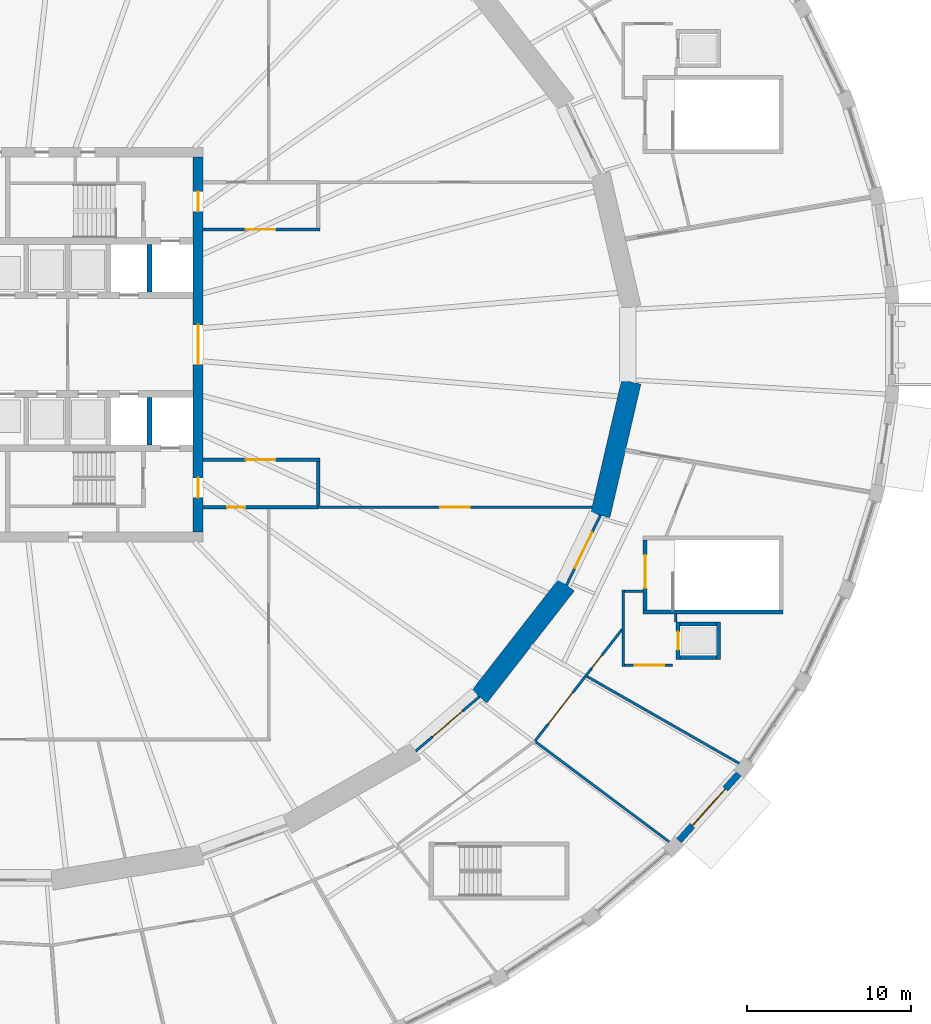
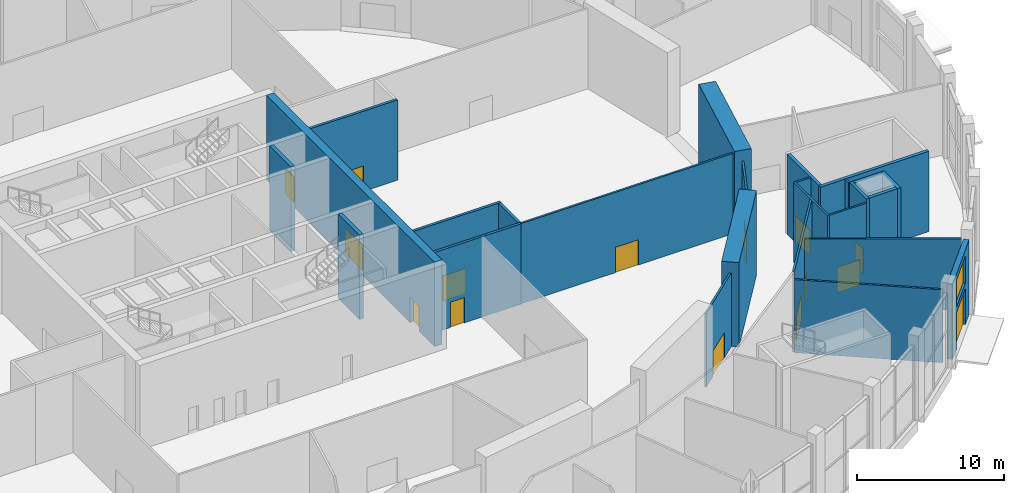
# One storey, part 24 of 33: 26 walls, 15 doors, 1 window, 16 openings.
"""IFC4 building model written with IfcOpenShell, lengths in metres."""

import ifcopenshell
import ifcopenshell.guid

model = None  # the IFC model being written
_history = None  # IfcOwnerHistory: only IFC2X3 demands one
_inside = {}  # id of a spatial element -> (the spatial element, [elements in it])
_under = {}  # id of a project, library or spatial element -> (it, [spatial elements below it])
_declared = {}  # id of a project -> (the project, [libraries it declares])
_typed = {}  # id of a type object -> (the type object, [elements of that type])
_made_of = {}  # id of a material, layer set ... -> (it, [elements and type objects made of it])


def new_model(schema):
    """Start an empty IFC model of exactly this schema.

    Asked for "IFC4X3", IfcOpenShell would pick the latest addendum, in which some entities
    have other attributes; the version numbers below select the first issue.
    IFC2X3 requires an IfcOwnerHistory on every rooted entity: one is made here for all.
    """
    global model, _history
    if schema == "IFC4X3":
        model = ifcopenshell.file(schema_version=(4, 3, 0, 0))
    else:
        model = ifcopenshell.file(schema=schema)
    _inside.clear()
    _under.clear()
    _declared.clear()
    _typed.clear()
    _made_of.clear()
    _history = None
    if model.schema == "IFC2X3":
        org = make("IfcOrganization", Name="unknown")
        user = make(
            "IfcPersonAndOrganization",
            ThePerson=make("IfcPerson", FamilyName="unknown"),
            TheOrganization=org,
        )
        app = make(
            "IfcApplication",
            ApplicationDeveloper=org,
            Version="unknown",
            ApplicationFullName="unknown",
            ApplicationIdentifier="unknown",
        )
        _history = make(
            "IfcOwnerHistory",
            OwningUser=user,
            OwningApplication=app,
            ChangeAction="ADDED",
            CreationDate=0,
        )
    return model


def make(cls, **values):
    """One entity of the class cls with the attributes given. An attribute that is None is left unset."""
    return model.create_entity(
        cls, **{name: value for name, value in values.items() if value is not None}
    )


def rooted(cls, **values):
    """An entity with a GlobalId (a new one), such as an element, a storey or a relation."""
    return make(cls, GlobalId=ifcopenshell.guid.new(), OwnerHistory=_history, **values)


def si_unit(unit_type, name, prefix=None):
    """IfcSIUnit, for example si_unit("LENGTHUNIT", "METRE", prefix="MILLI")."""
    return make("IfcSIUnit", UnitType=unit_type, Prefix=prefix, Name=name)


def assignment(units):
    """IfcUnitAssignment: the units of a project."""
    return None if units is None else make("IfcUnitAssignment", Units=units)


def point(xyz):
    """IfcCartesianPoint."""
    return None if xyz is None else make("IfcCartesianPoint", Coordinates=xyz)


def direction(xyz):
    """IfcDirection."""
    return None if xyz is None else make("IfcDirection", DirectionRatios=xyz)


def frame(location, z_axis=None, x_axis=None):
    """IfcAxis2Placement3D, a coordinate frame: its origin and axes. An axis left out is left unset."""
    return make(
        "IfcAxis2Placement3D",
        Location=point(location),
        Axis=direction(z_axis),
        RefDirection=direction(x_axis),
    )


def frame_2d(location, x_axis=None):
    """IfcAxis2Placement2D, a coordinate frame in the plane: its origin and x axis."""
    return make(
        "IfcAxis2Placement2D", Location=point(location), RefDirection=direction(x_axis)
    )


def origin():
    """The frame at (0, 0, 0) with its axes left unset."""
    return frame((0.0, 0.0, 0.0))


def place(relative_to, where):
    """IfcLocalPlacement: puts the frame where relative to a parent placement (None: the world)."""
    return make(
        "IfcLocalPlacement", PlacementRelTo=relative_to, RelativePlacement=where
    )


def context(
    kind, dimensions, precision=None, world=None, true_north=None, identifier=None
):
    """IfcGeometricRepresentationContext, for example the 3D "Model" context."""
    return make(
        "IfcGeometricRepresentationContext",
        ContextIdentifier=identifier,
        ContextType=kind,
        CoordinateSpaceDimension=dimensions,
        Precision=precision,
        WorldCoordinateSystem=world,
        TrueNorth=true_north,
    )


def subcontext(parent, identifier, kind, view, scale=None):
    """IfcGeometricRepresentationSubContext, for example "Body" below "Model"."""
    return make(
        "IfcGeometricRepresentationSubContext",
        ContextIdentifier=identifier,
        ContextType=kind,
        ParentContext=parent,
        TargetScale=scale,
        TargetView=view,
    )


def project(units=None, contexts=None):
    """IfcProject with its units and contexts."""
    return rooted(
        "IfcProject",
        Name="project",
        RepresentationContexts=contexts,
        UnitsInContext=assignment(units),
    )


def spatial(cls, under=None, at=None, **own):
    """A site, building, storey or space (cls), placed at a placement, below another one or the project."""
    s = rooted(cls, ObjectPlacement=at, **own)
    if under is not None:
        _under.setdefault(under.id(), (under, []))[1].append(s)
    return s


def polyline(points):
    """IfcPolyline through the points."""
    return make("IfcPolyline", Points=[point(p) for p in points])


def profile(cls, at=None, kind="AREA", **sizes):
    """A parametric profile (cls). Its sizes go by their IFC names, for example OverallWidth=200.0."""
    return make(cls, ProfileType=kind, Position=at, **sizes)


def rectangle(**sizes):
    """IfcRectangleProfileDef."""
    return profile("IfcRectangleProfileDef", **sizes)


def outline(outer, holes=None, kind="AREA"):
    """IfcArbitraryClosedProfileDef: a profile drawn as a closed curve; with holes, ...WithVoids."""
    if holes is None:
        return make("IfcArbitraryClosedProfileDef", ProfileType=kind, OuterCurve=outer)
    return make(
        "IfcArbitraryProfileDefWithVoids",
        ProfileType=kind,
        OuterCurve=outer,
        InnerCurves=holes,
    )


def extrude(swept, where, along, depth):
    """IfcExtrudedAreaSolid: the profile swept, set in the frame where, extruded along a direction by depth."""
    return make(
        "IfcExtrudedAreaSolid",
        SweptArea=swept,
        Position=where,
        ExtrudedDirection=direction(along),
        Depth=depth,
    )


def shape(context_of_items, identifier, shape_type, items):
    """IfcShapeRepresentation: the items that make up one representation, for example the "Body"."""
    return make(
        "IfcShapeRepresentation",
        ContextOfItems=context_of_items,
        RepresentationIdentifier=identifier,
        RepresentationType=shape_type,
        Items=items,
    )


def material(Name=None, Category=None):
    """IfcMaterial."""
    return make("IfcMaterial", Name=Name, Category=Category)


def layer(
    of_material, thickness, ventilated=None, Name=None, Category=None, Priority=None
):
    """IfcMaterialLayer: one layer of a wall or slab, of a material (None: an air gap)."""
    return make(
        "IfcMaterialLayer",
        Material=of_material,
        LayerThickness=thickness,
        IsVentilated=ventilated,
        Name=Name,
        Category=Category,
        Priority=Priority,
    )


def layer_set(layers, Name=None):
    """IfcMaterialLayerSet."""
    return make("IfcMaterialLayerSet", MaterialLayers=layers, LayerSetName=Name)


def made_of(thing, what):
    """Note that an element or type object is made of a material, layer set ...; save() writes the relation."""
    if what is not None:
        _made_of.setdefault(what.id(), (what, []))[1].append(thing)
    return thing


def type_object(cls, material=None, **own):
    """A type object (cls), such as IfcWallType, which elements share."""
    return made_of(rooted(cls, **own), material)


def element(
    cls,
    number,
    at=None,
    inside=None,
    cuts=None,
    type_object=None,
    material=None,
    context=None,
    identifier="Body",
    shape_type=None,
    held_by="IfcProductDefinitionShape",
    body=None,
    shapes=None,
    **own,
):
    """One element of the class cls, such as IfcWall. Its Tag is "e" and its number.

    at: its placement. inside: the storey or other place that contains it. cuts: it is an
    opening in that element (IfcRelVoidsElement). A single representation is given by context,
    identifier, shape_type and body (its items); several are given by shapes. held_by: the class
    of the entity that holds the representations. save() writes the other relations.
    """
    e = rooted(cls, Tag="e%d" % number, ObjectPlacement=at, **own)
    if body is not None:
        shapes = [shape(context, identifier, shape_type, body)]
    if shapes is not None:
        e.Representation = make(held_by, Representations=shapes)
    if inside is not None:
        _inside.setdefault(inside.id(), (inside, []))[1].append(e)
    if cuts is not None:
        rooted(
            "IfcRelVoidsElement", RelatingBuildingElement=cuts, RelatedOpeningElement=e
        )
    if type_object is not None:
        _typed.setdefault(type_object.id(), (type_object, []))[1].append(e)
    return made_of(e, material)


def fill(opening, filler):
    """IfcRelFillsElement: the door or window that sits in an opening."""
    return rooted(
        "IfcRelFillsElement",
        RelatingOpeningElement=opening,
        RelatedBuildingElement=filler,
    )


def aggregate(whole, parts):
    """IfcRelAggregates: a whole, such as a stair, and the parts it consists of."""
    return rooted("IfcRelAggregates", RelatingObject=whole, RelatedObjects=parts)


def save(model, path):
    """Write the relations noted so far, then the file.

    IfcRelAggregates (storeys below a building ...), IfcRelContainedInSpatialStructure (elements
    in a storey), IfcRelDefinesByType, IfcRelAssociatesMaterial and IfcRelDeclares: one each for
    every whole, place, type object, material and project.
    """
    for whole, parts in _under.values():
        aggregate(whole, parts)
    for where, things in _inside.values():
        rooted(
            "IfcRelContainedInSpatialStructure",
            RelatedElements=things,
            RelatingStructure=where,
        )
    for kind, things in _typed.values():
        rooted("IfcRelDefinesByType", RelatedObjects=things, RelatingType=kind)
    for what, things in _made_of.values():
        rooted("IfcRelAssociatesMaterial", RelatedObjects=things, RelatingMaterial=what)
    for by, libraries in _declared.values():
        rooted("IfcRelDeclares", RelatingContext=by, RelatedDefinitions=libraries)
    model.write(path)


model = new_model("IFC4")

# Units and contexts
model_context = context("Model", 3, precision=1e-05, world=origin(), true_north=direction((0.0, 1.0)))
body_context = subcontext(model_context, "Body", "Model", "MODEL_VIEW")
ifc_project = project(units=[si_unit("LENGTHUNIT", "METRE"), si_unit("AREAUNIT", "SQUARE_METRE"), si_unit("VOLUMEUNIT", "CUBIC_METRE"), si_unit("PLANEANGLEUNIT", "RADIAN"), si_unit("MASSUNIT", "GRAM", prefix="KILO")], contexts=[model_context])

# Site, building, storey
site_placement = place(None, origin())
site = spatial("IfcSite", under=ifc_project, at=site_placement, CompositionType="ELEMENT")
building_placement = place(site_placement, origin())
building = spatial("IfcBuilding", under=site, at=building_placement, Name="Halqa Exchange Tower", CompositionType="ELEMENT")
storey_placement = place(building_placement, origin())
storey = spatial("IfcBuildingStorey", under=building, at=storey_placement, Name="L00", CompositionType="ELEMENT", Elevation=0.0)

# Wall, opening, door
ifc_material_1 = material(Name="Fire-rated gypsum board")
ifc_layer_1 = layer(ifc_material_1, 0.14990234375)
ifc_layer_set_1 = layer_set([ifc_layer_1], Name="Fire-rated gypsum board")
wall_type_1 = type_object("IfcWallType", Name="Fire partition EI 60 150", PredefinedType="PARTITIONING", material=ifc_layer_set_1)
wall_1_placement = place(storey_placement, frame((28.789306640625, -21.41064453125, 0.0), z_axis=(0.0, 0.0, 1.0), x_axis=(-0.760084552743, -0.649824185978, 0.0)))
wall_1 = element("IfcWall", 1, at=wall_1_placement, inside=storey, type_object=wall_type_1, Name="L00-PWL-088", PredefinedType="PARTITIONING", context=body_context, shape_type="SweptSolid", body=[
    extrude(outline(polyline([(0.015380859375, -0.074951171875), (5.060791015625, -0.074951171875), (5.089111328125, 0.074951171875), (-0.015380859375, 0.074951171875), (0.015380859375, -0.074951171875)])), origin(), (0.0, 0.0, 1.0), 6.10009765625),
])
opening_1_placement = place(wall_1_placement, frame((1.338134765625, 0.0, 0.0)))
opening_1 = element("IfcOpeningElement", 2, at=opening_1_placement, cuts=wall_1, Name="Opening L00-32", PredefinedType="OPENING", context=body_context, shape_type="SweptSolid", body=[
    extrude(rectangle(XDim=2.39990234375, YDim=2.10009765625, at=frame_2d((1.199951171875, 1.050048828125))), frame((0.0, 0.0869140625, 0.0), z_axis=(0.0, -1.0, 0.0), x_axis=(1.0, 0.0, 0.0)), (0.0, 0.0, 1.0), 0.173828125),
])
ifc_material_2 = material(Name="Steel fire door leaf", Category="steel")
door_type_1 = type_object("IfcDoorType", Name="Fire door FD60S double 2400 x 2100", OperationType="DOUBLE_DOOR_SINGLE_SWING", PredefinedType="DOOR", material=ifc_material_2)
door_1_placement = place(opening_1_placement, frame((2.39990234375, 0.0, 0.0), z_axis=(0.0, 0.0, 1.0), x_axis=(-1.0, 0.0, 0.0)))
door_1 = element("IfcDoor", 3, at=door_1_placement, inside=storey, type_object=door_type_1, Name="L00-IDR-032", OperationType="DOUBLE_DOOR_SINGLE_SWING", OverallHeight=2.10009765625, OverallWidth=2.39990234375, PredefinedType="DOOR", context=body_context, shape_type="SweptSolid", body=[
    extrude(rectangle(XDim=2.39990234375, YDim=2.10009765625, at=frame_2d((1.199951171875, 1.050048828125))), frame((0.0, 0.02490234375, 0.0), z_axis=(0.0, -1.0, 0.0), x_axis=(1.0, 0.0, 0.0)), (0.0, 0.0, 1.0), 0.050048828125),
])
fill(opening_1, door_1)

# Wall, openings, doors
wall_2_placement = place(storey_placement, frame((32.1826171875, -24.09375, 0.0), z_axis=(0.0, 0.0, 1.0), x_axis=(0.614892482098, 0.78861095317, 0.0)))
wall_2 = element("IfcWall", 4, at=wall_2_placement, inside=storey, type_object=wall_type_1, Name="L00-PWL-091", PredefinedType="PARTITIONING", context=body_context, shape_type="SweptSolid", body=[
    extrude(rectangle(XDim=8.60791015625, YDim=0.14990234375, at=frame_2d((4.303955078125, 0.0))), origin(), (0.0, 0.0, 1.0), 6.64990234375),
])
opening_2_placement = place(wall_2_placement, frame((1.3173828125, 0.0, 0.0)))
opening_2 = element("IfcOpeningElement", 5, at=opening_2_placement, cuts=wall_2, Name="Opening L00-61", PredefinedType="OPENING", context=body_context, shape_type="SweptSolid", body=[
    extrude(rectangle(XDim=2.39990234375, YDim=2.10009765625, at=frame_2d((1.199951171875, 1.050048828125))), frame((0.0, 0.0869140625, 0.0), z_axis=(0.0, -1.0, 0.0), x_axis=(1.0, 0.0, 0.0)), (0.0, 0.0, 1.0), 0.173828125),
])
opening_3_placement = place(wall_2_placement, frame((5.614990234375, 0.0, 0.0)))
opening_3 = element("IfcOpeningElement", 6, at=opening_3_placement, cuts=wall_2, Name="Opening L00-62", PredefinedType="OPENING", context=body_context, shape_type="SweptSolid", body=[
    extrude(rectangle(XDim=1.0, YDim=2.10009765625, at=frame_2d((0.5, 1.050048828125))), frame((0.0, 0.0869140625, 0.0), z_axis=(0.0, -1.0, 0.0), x_axis=(1.0, 0.0, 0.0)), (0.0, 0.0, 1.0), 0.173828125),
])
door_type_2 = type_object("IfcDoorType", Name="Fire door FD30S 1000 x 2100", OperationType="SINGLE_SWING_LEFT", PredefinedType="DOOR", material=ifc_material_2)
door_2_placement = place(opening_3_placement, origin())
door_2 = element("IfcDoor", 7, at=door_2_placement, inside=storey, type_object=door_type_2, Name="L00-IDR-062", OperationType="SINGLE_SWING_LEFT", OverallHeight=2.10009765625, OverallWidth=1.0, PredefinedType="DOOR", context=body_context, shape_type="SweptSolid", body=[
    extrude(rectangle(XDim=1.0, YDim=2.10009765625, at=frame_2d((0.5, 1.050048828125))), frame((0.0, 0.02490234375, 0.0), z_axis=(0.0, -1.0, 0.0), x_axis=(1.0, 0.0, 0.0)), (0.0, 0.0, 1.0), 0.050048828125),
])
fill(opening_3, door_2)
door_3_placement = place(opening_2_placement, frame((2.39990234375, 0.0, 0.0), z_axis=(0.0, 0.0, 1.0), x_axis=(-1.0, 0.0, 0.0)))
door_3 = element("IfcDoor", 8, at=door_3_placement, inside=storey, type_object=door_type_1, Name="L00-IDR-061", OperationType="DOUBLE_DOOR_SINGLE_SWING", OverallHeight=2.10009765625, OverallWidth=2.39990234375, PredefinedType="DOOR", context=body_context, shape_type="SweptSolid", body=[
    extrude(rectangle(XDim=2.39990234375, YDim=2.10009765625, at=frame_2d((1.199951171875, 1.050048828125))), frame((0.0, 0.02490234375, 0.0), z_axis=(0.0, -1.0, 0.0), x_axis=(1.0, 0.0, 0.0)), (0.0, 0.0, 1.0), 0.050048828125),
])
fill(opening_2, door_3)

# Walls
wall_3_placement = place(storey_placement, frame((32.227294921875, -24.15283203125, 0.0), z_axis=(0.0, 0.0, 1.0), x_axis=(0.800465305701, -0.599379090701, 0.0)))
element("IfcWall", 9, at=wall_3_placement, inside=storey, type_object=wall_type_1, Name="L00-PWL-092", PredefinedType="PARTITIONING", context=body_context, shape_type="SweptSolid", body=[
    extrude(outline(polyline([(0.0, -0.074951171875), (10.1201171875, -0.074951171875), (10.1435546875, 0.074951171875), (0.0, 0.074951171875), (0.0, -0.074951171875)])), origin(), (0.0, 0.0, 1.0), 6.050048828125),
])
wall_4_placement = place(storey_placement, frame((35.33740234375, -20.16845703125, 0.0), z_axis=(0.0, 0.0, 1.0), x_axis=(0.868241733504, -0.496141403435, 0.0)))
element("IfcWall", 10, at=wall_4_placement, inside=storey, type_object=wall_type_1, Name="L00-PWL-094", PredefinedType="PARTITIONING", context=body_context, shape_type="SweptSolid", body=[
    extrude(outline(polyline([(-0.0107421875, -0.074951171875), (10.655029296875, -0.074951171875), (10.676513671875, 0.074951171875), (0.0107421875, 0.074951171875), (-0.0107421875, -0.074951171875)])), origin(), (0.0, 0.0, 1.0), 5.89697265625),
])

# Wall, opening, door
wall_5_placement = place(storey_placement, frame((35.64990234375, -9.8798828125, 0.0), z_axis=(0.0, 0.0, 1.0), x_axis=(-1.0, 0.0, 0.0)))
wall_5 = element("IfcWall", 11, at=wall_5_placement, inside=storey, type_object=wall_type_1, Name="L00-PWL-097", PredefinedType="PARTITIONING", context=body_context, shape_type="SweptSolid", body=[
    extrude(outline(polyline([(-0.017333984375, -0.074951171875), (16.64990234375, -0.074951171875), (16.64990234375, 0.074951171875), (0.017333984375, 0.074951171875), (-0.017333984375, -0.074951171875)])), origin(), (0.0, 0.0, 1.0), 6.64990234375),
])
opening_4_placement = place(wall_5_placement, frame((7.445068359375, 0.0, 0.0)))
opening_4 = element("IfcOpeningElement", 12, at=opening_4_placement, cuts=wall_5, Name="Opening L00-10", PredefinedType="OPENING", context=body_context, shape_type="SweptSolid", body=[
    extrude(rectangle(XDim=1.800048828125, YDim=2.10009765625, at=frame_2d((0.89990234375, 1.050048828125))), frame((0.0, 0.0869140625, 0.0), z_axis=(0.0, -1.0, 0.0), x_axis=(1.0, 0.0, 0.0)), (0.0, 0.0, 1.0), 0.173828125),
])
door_type_3 = type_object("IfcDoorType", Name="Fire door FD30S double 1800 x 2100", OperationType="DOUBLE_DOOR_SINGLE_SWING", PredefinedType="DOOR", material=ifc_material_2)
door_4_placement = place(opening_4_placement, origin())
door_4 = element("IfcDoor", 13, at=door_4_placement, inside=storey, type_object=door_type_3, Name="L00-IDR-010", OperationType="DOUBLE_DOOR_SINGLE_SWING", OverallHeight=2.10009765625, OverallWidth=1.800048828125, PredefinedType="DOOR", context=body_context, shape_type="SweptSolid", body=[
    extrude(rectangle(XDim=1.800048828125, YDim=2.10009765625, at=frame_2d((0.89990234375, 1.050048828125))), frame((0.0, 0.02490234375, 0.0), z_axis=(0.0, -1.0, 0.0), x_axis=(1.0, 0.0, 0.0)), (0.0, 0.0, 1.0), 0.050048828125),
])
fill(opening_4, door_4)

wall_6_placement = place(storey_placement, frame((36.14990234375, -10.3798828125, 0.0), z_axis=(0.0, 0.0, 1.0), x_axis=(-0.436102687495, -0.899896908518, 0.0)))
wall_6 = element("IfcWall", 14, at=wall_6_placement, inside=storey, type_object=wall_type_1, Name="L00-PWL-098", PredefinedType="PARTITIONING", context=body_context, shape_type="SweptSolid", body=[
    extrude(outline(polyline([(0.01708984375, -0.074951171875), (4.68310546875, -0.074951171875), (4.71533203125, 0.074951171875), (-0.01708984375, 0.074951171875), (0.01708984375, -0.074951171875)])), origin(), (0.0, 0.0, 1.0), 6.10009765625),
])
opening_5_placement = place(wall_6_placement, frame((1.150390625, 0.0, 0.0)))
opening_5 = element("IfcOpeningElement", 15, at=opening_5_placement, cuts=wall_6, Name="Opening L00-33", PredefinedType="OPENING", context=body_context, shape_type="SweptSolid", body=[
    extrude(rectangle(XDim=2.39990234375, YDim=2.10009765625, at=frame_2d((1.199951171875, 1.050048828125))), frame((0.0, 0.0869140625, 0.0), z_axis=(0.0, -1.0, 0.0), x_axis=(1.0, 0.0, 0.0)), (0.0, 0.0, 1.0), 0.173828125),
])
door_5_placement = place(opening_5_placement, frame((2.39990234375, 0.0, 0.0), z_axis=(0.0, 0.0, 1.0), x_axis=(-1.0, 0.0, 0.0)))
door_5 = element("IfcDoor", 16, at=door_5_placement, inside=storey, type_object=door_type_1, Name="L00-IDR-033", OperationType="DOUBLE_DOOR_SINGLE_SWING", OverallHeight=2.10009765625, OverallWidth=2.39990234375, PredefinedType="DOOR", context=body_context, shape_type="SweptSolid", body=[
    extrude(rectangle(XDim=2.39990234375, YDim=2.10009765625, at=frame_2d((1.199951171875, 1.050048828125))), frame((0.0, 0.02490234375, 0.0), z_axis=(0.0, -1.0, 0.0), x_axis=(1.0, 0.0, 0.0)), (0.0, 0.0, 1.0), 0.050048828125),
])
fill(opening_5, door_5)

# Walls
wall_7_placement = place(storey_placement, frame((37.550048828125, -19.574951171875, 0.0), z_axis=(0.0, 0.0, 1.0), x_axis=(0.0, 1.0, 0.0)))
element("IfcWall", 17, at=wall_7_placement, inside=storey, type_object=wall_type_1, Name="L00-PWL-099", PredefinedType="PARTITIONING", context=body_context, shape_type="SweptSolid", body=[
    extrude(rectangle(XDim=4.64990234375, YDim=0.14990234375, at=frame_2d((2.324951171875, 0.0))), origin(), (0.0, 0.0, 1.0), 6.64990234375),
])
wall_8_placement = place(storey_placement, frame((37.625, -15.0, 0.0), z_axis=(0.0, 0.0, 1.0), x_axis=(1.0, 0.0, 0.0)))
element("IfcWall", 18, at=wall_8_placement, inside=storey, type_object=wall_type_1, Name="L00-PWL-100", PredefinedType="PARTITIONING", context=body_context, shape_type="SweptSolid", body=[
    extrude(rectangle(XDim=1.1259765625, YDim=0.14990234375, at=frame_2d((0.56298828125, 0.0))), origin(), (0.0, 0.0, 1.0), 6.64990234375),
])

# Wall, opening, door
wall_9_placement = place(storey_placement, frame((40.52490234375, -19.5, 0.0), z_axis=(0.0, 0.0, 1.0), x_axis=(-1.0, 0.0, 0.0)))
wall_9 = element("IfcWall", 19, at=wall_9_placement, inside=storey, type_object=wall_type_1, Name="L00-PWL-107", PredefinedType="PARTITIONING", context=body_context, shape_type="SweptSolid", body=[
    extrude(rectangle(XDim=2.89990234375, YDim=0.14990234375, at=frame_2d((1.449951171875, 0.0))), origin(), (0.0, 0.0, 1.0), 6.64990234375),
])
opening_6_placement = place(wall_9_placement, frame((0.47509765625, 0.0, 0.0)))
opening_6 = element("IfcOpeningElement", 20, at=opening_6_placement, cuts=wall_9, Name="Opening L00-64", PredefinedType="OPENING", context=body_context, shape_type="SweptSolid", body=[
    extrude(rectangle(XDim=1.800048828125, YDim=2.10009765625, at=frame_2d((0.89990234375, 1.050048828125))), frame((0.0, 0.0869140625, 0.0), z_axis=(0.0, -1.0, 0.0), x_axis=(1.0, 0.0, 0.0)), (0.0, 0.0, 1.0), 0.173828125),
])
door_6_placement = place(opening_6_placement, origin())
door_6 = element("IfcDoor", 21, at=door_6_placement, inside=storey, type_object=door_type_3, Name="L00-IDR-064", OperationType="DOUBLE_DOOR_SINGLE_SWING", OverallHeight=2.10009765625, OverallWidth=1.800048828125, PredefinedType="DOOR", context=body_context, shape_type="SweptSolid", body=[
    extrude(rectangle(XDim=1.800048828125, YDim=2.10009765625, at=frame_2d((0.89990234375, 1.050048828125))), frame((0.0, 0.02490234375, 0.0), z_axis=(0.0, -1.0, 0.0), x_axis=(1.0, 0.0, 0.0)), (0.0, 0.0, 1.0), 0.050048828125),
])
fill(opening_6, door_6)

# Wall
wall_10_placement = place(storey_placement, frame((40.75, -16.3740234375, 0.0), z_axis=(0.0, 0.0, 1.0), x_axis=(0.0, -1.0, 0.0)))
element("IfcWall", 22, at=wall_10_placement, inside=storey, type_object=wall_type_1, Name="L00-PWL-108", PredefinedType="PARTITIONING", context=body_context, shape_type="SweptSolid", body=[
    extrude(rectangle(XDim=0.47607421875, YDim=0.14990234375, at=frame_2d((0.238037109375, 0.0))), origin(), (0.0, 0.0, 1.0), 6.64990234375),
])

# Wall, opening, door
ifc_material_3 = material(Name="Concrete C30/37", Category="concrete")
ifc_layer_2 = layer(ifc_material_3, 0.199951171875)
ifc_layer_set_2 = layer_set([ifc_layer_2], Name="Concrete C30/37")
wall_type_2 = type_object("IfcWallType", Name="Fire wall EI 120 200", PredefinedType="PARTITIONING", material=ifc_layer_set_2)
wall_11_placement = place(storey_placement, frame((11.9990234375, -9.8798828125, 0.0), z_axis=(0.0, 0.0, 1.0), x_axis=(1.0, 0.0, 0.0)))
wall_11 = element("IfcWall", 23, at=wall_11_placement, inside=storey, type_object=wall_type_2, Name="L00-PWL-068", PredefinedType="PARTITIONING", context=body_context, shape_type="SweptSolid", body=[
    extrude(rectangle(XDim=7.001953125, YDim=0.199951171875, at=frame_2d((3.5009765625, 0.0))), origin(), (0.0, 0.0, 1.0), 6.64990234375),
])
opening_7_placement = place(wall_11_placement, frame((1.466064453125, 0.0, 0.0)))
opening_7 = element("IfcOpeningElement", 24, at=opening_7_placement, cuts=wall_11, Name="Opening L00-20", PredefinedType="OPENING", context=body_context, shape_type="SweptSolid", body=[
    extrude(rectangle(XDim=1.10009765625, YDim=2.10009765625, at=frame_2d((0.550048828125, 1.050048828125))), frame((0.0, 0.112060546875, 0.0), z_axis=(0.0, -1.0, 0.0), x_axis=(1.0, 0.0, 0.0)), (0.0, 0.0, 1.0), 0.223876953125),
])
door_type_4 = type_object("IfcDoorType", Name="Fire door FD120S 1100 x 2100", OperationType="SINGLE_SWING_LEFT", PredefinedType="DOOR", material=ifc_material_2)
door_7_placement = place(opening_7_placement, origin())
door_7 = element("IfcDoor", 25, at=door_7_placement, inside=storey, type_object=door_type_4, Name="L00-IDR-020", OperationType="SINGLE_SWING_RIGHT", OverallHeight=2.10009765625, OverallWidth=1.10009765625, PredefinedType="DOOR", context=body_context, shape_type="SweptSolid", body=[
    extrude(rectangle(XDim=1.10009765625, YDim=2.10009765625, at=frame_2d((0.550048828125, 1.050048828125))), frame((0.0, 0.02490234375, 0.0), z_axis=(0.0, -1.0, 0.0), x_axis=(1.0, 0.0, 0.0)), (0.0, 0.0, 1.0), 0.050048828125),
])
fill(opening_7, door_7)

wall_12_placement = place(storey_placement, frame((11.9990234375, -7.0, 0.0), z_axis=(0.0, 0.0, 1.0), x_axis=(1.0, 0.0, 0.0)))
wall_12 = element("IfcWall", 26, at=wall_12_placement, inside=storey, type_object=wall_type_2, Name="L00-PWL-069", PredefinedType="PARTITIONING", context=body_context, shape_type="SweptSolid", body=[
    extrude(rectangle(XDim=7.10107421875, YDim=0.199951171875, at=frame_2d((3.550537109375, 0.0))), origin(), (0.0, 0.0, 1.0), 6.64990234375),
])
opening_8_placement = place(wall_12_placement, frame((2.60107421875, 0.0, 0.0)))
opening_8 = element("IfcOpeningElement", 27, at=opening_8_placement, cuts=wall_12, Name="Opening L00-04", PredefinedType="OPENING", context=body_context, shape_type="SweptSolid", body=[
    extrude(rectangle(XDim=1.800048828125, YDim=2.10009765625, at=frame_2d((0.89990234375, 1.050048828125))), frame((0.0, 0.112060546875, 0.0), z_axis=(0.0, -1.0, 0.0), x_axis=(1.0, 0.0, 0.0)), (0.0, 0.0, 1.0), 0.223876953125),
])
door_type_5 = type_object("IfcDoorType", Name="Fire door FD120S double 1800 x 2100", OperationType="DOUBLE_DOOR_SINGLE_SWING", PredefinedType="DOOR", material=ifc_material_2)
door_8_placement = place(opening_8_placement, frame((1.800048828125, 0.0, 0.0), z_axis=(0.0, 0.0, 1.0), x_axis=(-1.0, 0.0, 0.0)))
door_8 = element("IfcDoor", 28, at=door_8_placement, inside=storey, type_object=door_type_5, Name="L00-IDR-004", OperationType="DOUBLE_DOOR_SINGLE_SWING", OverallHeight=2.10009765625, OverallWidth=1.800048828125, PredefinedType="DOOR", context=body_context, shape_type="SweptSolid", body=[
    extrude(rectangle(XDim=1.800048828125, YDim=2.10009765625, at=frame_2d((0.89990234375, 1.050048828125))), frame((0.0, 0.02490234375, 0.0), z_axis=(0.0, -1.0, 0.0), x_axis=(1.0, 0.0, 0.0)), (0.0, 0.0, 1.0), 0.050048828125),
])
fill(opening_8, door_8)

# Wall
wall_13_placement = place(storey_placement, frame((19.0, -7.09912109375, 0.0), z_axis=(0.0, 0.0, 1.0), x_axis=(0.0, -1.0, 0.0)))
element("IfcWall", 29, at=wall_13_placement, inside=storey, type_object=wall_type_2, Name="L00-PWL-080", PredefinedType="PARTITIONING", context=body_context, shape_type="SweptSolid", body=[
    extrude(rectangle(XDim=2.680908203125, YDim=0.199951171875, at=frame_2d((1.34033203125, 0.0))), origin(), (0.0, 0.0, 1.0), 6.64990234375),
])

# Wall, opening, door
wall_14_placement = place(storey_placement, frame((19.10009765625, 7.0, 0.0), z_axis=(0.0, 0.0, 1.0), x_axis=(-1.0, 0.0, 0.0)))
wall_14 = element("IfcWall", 30, at=wall_14_placement, inside=storey, type_object=wall_type_2, Name="L00-PWL-081", PredefinedType="PARTITIONING", context=body_context, shape_type="SweptSolid", body=[
    extrude(rectangle(XDim=7.10107421875, YDim=0.199951171875, at=frame_2d((3.550537109375, 0.0))), origin(), (0.0, 0.0, 1.0), 6.64990234375),
])
opening_9_placement = place(wall_14_placement, frame((2.699951171875, 0.0, 0.0)))
opening_9 = element("IfcOpeningElement", 31, at=opening_9_placement, cuts=wall_14, Name="Opening L00-03", PredefinedType="OPENING", context=body_context, shape_type="SweptSolid", body=[
    extrude(rectangle(XDim=1.800048828125, YDim=2.10009765625, at=frame_2d((0.89990234375, 1.050048828125))), frame((0.0, 0.112060546875, 0.0), z_axis=(0.0, -1.0, 0.0), x_axis=(1.0, 0.0, 0.0)), (0.0, 0.0, 1.0), 0.223876953125),
])
door_9_placement = place(opening_9_placement, frame((1.800048828125, 0.0, 0.0), z_axis=(0.0, 0.0, 1.0), x_axis=(-1.0, 0.0, 0.0)))
door_9 = element("IfcDoor", 32, at=door_9_placement, inside=storey, type_object=door_type_5, Name="L00-IDR-003", OperationType="DOUBLE_DOOR_SINGLE_SWING", OverallHeight=2.10009765625, OverallWidth=1.800048828125, PredefinedType="DOOR", context=body_context, shape_type="SweptSolid", body=[
    extrude(rectangle(XDim=1.800048828125, YDim=2.10009765625, at=frame_2d((0.89990234375, 1.050048828125))), frame((0.0, 0.02490234375, 0.0), z_axis=(0.0, -1.0, 0.0), x_axis=(1.0, 0.0, 0.0)), (0.0, 0.0, 1.0), 0.050048828125),
])
fill(opening_9, door_9)

ifc_material_4 = material(Name="Gypsum board")
ifc_layer_3 = layer(ifc_material_4, 0.25)
ifc_layer_set_3 = layer_set([ifc_layer_3], Name="Gypsum board")
wall_type_3 = type_object("IfcWallType", Name="Penthouse riser wall 250 gypsum", PredefinedType="PARTITIONING", material=ifc_layer_set_3)
wall_15_placement = place(storey_placement, frame((40.875, -19.14990234375, 0.0), z_axis=(0.0, 0.0, 1.0), x_axis=(0.0, 1.0, 0.0)))
wall_15 = element("IfcWall", 33, at=wall_15_placement, inside=storey, type_object=wall_type_3, Name="Station lift AL2 wall west", PredefinedType="PARTITIONING", context=body_context, shape_type="SweptSolid", body=[
    extrude(rectangle(XDim=2.2998046875, YDim=0.25, at=frame_2d((1.14990234375, 0.0))), origin(), (0.0, 0.0, 1.0), 6.64990234375),
])
opening_10_placement = place(wall_15_placement, frame((0.60009765625, 0.0, 0.0)))
opening_10 = element("IfcOpeningElement", 34, at=opening_10_placement, cuts=wall_15, Name="Opening LD-AL2-L00", PredefinedType="OPENING", context=body_context, shape_type="SweptSolid", body=[
    extrude(rectangle(XDim=1.10009765625, YDim=2.10009765625, at=frame_2d((0.550048828125, 1.050048828125))), frame((0.0, 0.136962890625, 0.0), z_axis=(0.0, -1.0, 0.0), x_axis=(1.0, 0.0, 0.0)), (0.0, 0.0, 1.0), 0.27392578125),
])
ifc_material_5 = material(Name="Stainless steel", Category="steel")
door_type_6 = type_object("IfcDoorType", Name="Lift landing door 1100 x 2100", OperationType="SLIDING_TO_LEFT", PredefinedType="DOOR", material=ifc_material_5)
door_10_placement = place(opening_10_placement, origin())
door_10 = element("IfcDoor", 35, at=door_10_placement, inside=storey, type_object=door_type_6, Name="Lift landing door AL2", OperationType="SLIDING_TO_LEFT", OverallHeight=2.10009765625, OverallWidth=1.10009765625, PredefinedType="DOOR", context=body_context, shape_type="SweptSolid", body=[
    extrude(rectangle(XDim=1.10009765625, YDim=2.10009765625, at=frame_2d((0.550048828125, 1.050048828125))), frame((0.0, 0.02490234375, 0.0), z_axis=(0.0, -1.0, 0.0), x_axis=(1.0, 0.0, 0.0)), (0.0, 0.0, 1.0), 0.050048828125),
])
fill(opening_10, door_10)

# Walls
wall_16_placement = place(storey_placement, frame((43.324951171875, -19.14990234375, 0.0), z_axis=(0.0, 0.0, 1.0), x_axis=(0.0, 1.0, 0.0)))
element("IfcWall", 36, at=wall_16_placement, inside=storey, type_object=wall_type_3, Name="Station lift AL2 wall east", PredefinedType="PARTITIONING", context=body_context, shape_type="SweptSolid", body=[
    extrude(rectangle(XDim=2.2998046875, YDim=0.25, at=frame_2d((1.14990234375, 0.0))), origin(), (0.0, 0.0, 1.0), 6.64990234375),
])
for number, where, z_axis, x_axis, name in (
    (37, (41.0, -16.97509765625, 0.0), (0.0, 0.0, 1.0), (1.0, 0.0, 0.0), "Station lift AL2 wall north"),
    (38, (41.0, -19.02490234375, 0.0), (0.0, 0.0, 1.0), (1.0, 0.0, 0.0), "Station lift AL2 wall south"),
):
    element("IfcWall", number, at=place(storey_placement, frame(where, z_axis=z_axis, x_axis=x_axis)), inside=storey, type_object=wall_type_3, Name=name, PredefinedType="PARTITIONING", context=body_context, shape_type="SweptSolid", body=[
        extrude(rectangle(XDim=2.199951171875, YDim=0.25, at=frame_2d((1.10009765625, 0.0))), origin(), (0.0, 0.0, 1.0), 6.64990234375),
    ])
ifc_material_6 = material(Name="Concrete C60/75", Category="concrete")
ifc_layer_4 = layer(ifc_material_6, 0.300048828125)
ifc_layer_set_4 = layer_set([ifc_layer_4], Name="Concrete C60/75")
wall_type_4 = type_object("IfcWallType", Name="RC core wall 300", PredefinedType="SHEAR", material=ifc_layer_set_4)
for number, where, z_axis, x_axis, name in (
    (39, (8.75, 3.199951171875, 0.0), (0.0, 0.0, 1.0), (0.0, 1.0, 0.0), "Shaft divider N8"),
    (40, (8.75, -6.10009765625, 0.0), (0.0, 0.0, 1.0), (0.0, 1.0, 0.0), "Shaft divider S8"),
):
    element("IfcWall", number, at=place(storey_placement, frame(where, z_axis=z_axis, x_axis=x_axis)), inside=storey, type_object=wall_type_4, Name=name, PredefinedType="SHEAR", context=body_context, shape_type="SweptSolid", body=[
        extrude(rectangle(XDim=2.900146484375, YDim=0.300048828125, at=frame_2d((1.4501953125, 0.0))), origin(), (0.0, 0.0, 1.0), 7.0),
    ])

# Wall, openings, doors
ifc_material_7 = material(Name="Concrete C80/95", Category="concrete")
ifc_layer_5 = layer(ifc_material_7, 0.60009765625)
ifc_layer_set_5 = layer_set([ifc_layer_5], Name="Concrete C80/95")
wall_type_5 = type_object("IfcWallType", Name="RC core wall 600 C80/95", PredefinedType="SHEAR", material=ifc_layer_set_5)
wall_17_placement = place(storey_placement, frame((11.699951171875, -11.39990234375, 0.0), z_axis=(0.0, 0.0, 1.0), x_axis=(0.0, 1.0, 0.0)))
wall_17 = element("IfcWall", 41, at=wall_17_placement, inside=storey, type_object=wall_type_5, Name="Core wall east", PredefinedType="SHEAR", context=body_context, shape_type="SweptSolid", body=[
    extrude(rectangle(XDim=22.7998046875, YDim=0.60009765625, at=frame_2d((11.39990234375, 0.0))), origin(), (0.0, 0.0, 1.0), 7.0),
])
opening_11_placement = place(wall_17_placement, frame((10.199951171875, 0.0, 0.0)))
opening_11 = element("IfcOpeningElement", 42, at=opening_11_placement, cuts=wall_17, Name="Opening L00-C20", PredefinedType="OPENING", context=body_context, shape_type="SweptSolid", body=[
    extrude(rectangle(XDim=2.39990234375, YDim=2.10009765625, at=frame_2d((1.199951171875, 1.050048828125))), frame((0.0, 0.31201171875, 0.0), z_axis=(0.0, -1.0, 0.0), x_axis=(1.0, 0.0, 0.0)), (0.0, 0.0, 1.0), 0.6240234375),
])
opening_12_placement = place(wall_17_placement, frame((19.5, 0.0, 0.0)))
opening_12 = element("IfcOpeningElement", 43, at=opening_12_placement, cuts=wall_17, Name="Opening L00-C39", PredefinedType="OPENING", context=body_context, shape_type="SweptSolid", body=[
    extrude(rectangle(XDim=1.199951171875, YDim=2.10009765625, at=frame_2d((0.60009765625, 1.050048828125))), frame((0.0, 0.31201171875, 0.0), z_axis=(0.0, -1.0, 0.0), x_axis=(1.0, 0.0, 0.0)), (0.0, 0.0, 1.0), 0.6240234375),
])
opening_13_placement = place(wall_17_placement, frame((2.10009765625, 0.0, 0.0)))
opening_13 = element("IfcOpeningElement", 44, at=opening_13_placement, cuts=wall_17, Name="Opening L00-C40", PredefinedType="OPENING", context=body_context, shape_type="SweptSolid", body=[
    extrude(rectangle(XDim=1.199951171875, YDim=2.10009765625, at=frame_2d((0.60009765625, 1.050048828125))), frame((0.0, 0.31201171875, 0.0), z_axis=(0.0, -1.0, 0.0), x_axis=(1.0, 0.0, 0.0)), (0.0, 0.0, 1.0), 0.6240234375),
])
door_type_7 = type_object("IfcDoorType", Name="Firefighting lobby door FD90 1200 x 2100", OperationType="SINGLE_SWING_RIGHT", PredefinedType="DOOR", material=ifc_material_2)
door_11_placement = place(opening_12_placement, origin())
door_11 = element("IfcDoor", 45, at=door_11_placement, inside=storey, type_object=door_type_7, Name="Firefighting lobby door", OperationType="SINGLE_SWING_RIGHT", OverallHeight=2.10009765625, OverallWidth=1.199951171875, PredefinedType="DOOR", context=body_context, shape_type="SweptSolid", body=[
    extrude(rectangle(XDim=1.199951171875, YDim=2.10009765625, at=frame_2d((0.60009765625, 1.050048828125))), frame((0.0, 0.02490234375, 0.0), z_axis=(0.0, -1.0, 0.0), x_axis=(1.0, 0.0, 0.0)), (0.0, 0.0, 1.0), 0.050048828125),
])
fill(opening_12, door_11)
door_12_placement = place(opening_13_placement, origin())
door_12 = element("IfcDoor", 46, at=door_12_placement, inside=storey, type_object=door_type_7, Name="Firefighting lobby door", OperationType="SINGLE_SWING_LEFT", OverallHeight=2.10009765625, OverallWidth=1.199951171875, PredefinedType="DOOR", context=body_context, shape_type="SweptSolid", body=[
    extrude(rectangle(XDim=1.199951171875, YDim=2.10009765625, at=frame_2d((0.60009765625, 1.050048828125))), frame((0.0, 0.02490234375, 0.0), z_axis=(0.0, -1.0, 0.0), x_axis=(1.0, 0.0, 0.0)), (0.0, 0.0, 1.0), 0.050048828125),
])
fill(opening_13, door_12)
door_type_8 = type_object("IfcDoorType", Name="Lobby double door FD60 2400 x 2100", OperationType="DOUBLE_DOOR_SINGLE_SWING", PredefinedType="DOOR", material=ifc_material_2)
door_13_placement = place(opening_11_placement, origin())
door_13 = element("IfcDoor", 47, at=door_13_placement, inside=storey, type_object=door_type_8, Name="Lift lobby double door", OperationType="DOUBLE_DOOR_SINGLE_SWING", OverallHeight=2.10009765625, OverallWidth=2.39990234375, PredefinedType="DOOR", context=body_context, shape_type="SweptSolid", body=[
    extrude(rectangle(XDim=2.39990234375, YDim=2.10009765625, at=frame_2d((1.199951171875, 1.050048828125))), frame((0.0, 0.02490234375, 0.0), z_axis=(0.0, -1.0, 0.0), x_axis=(1.0, 0.0, 0.0)), (0.0, 0.0, 1.0), 0.050048828125),
])
fill(opening_11, door_13)

# Walls
ifc_layer_6 = layer(ifc_material_7, 1.199951171875)
ifc_layer_set_6 = layer_set([ifc_layer_6], Name="Concrete C80/95")
wall_type_6 = type_object("IfcWallType", Name="RC ring pier 1200 C80/95", PredefinedType="SHEAR", material=ifc_layer_set_6)
wall_18_placement = place(storey_placement, frame((28.790283203125, -21.412353515625, 0.0), z_axis=(0.0, 0.0, 1.0), x_axis=(0.614825322247, 0.788663314174, 0.0)))
element("IfcWall", 48, at=wall_18_placement, inside=storey, type_object=wall_type_6, Name="Ring pier 15", PredefinedType="SHEAR", context=body_context, shape_type="SweptSolid", body=[
    extrude(rectangle(XDim=8.631591796875, YDim=1.199951171875, at=frame_2d((4.31591796875, 0.0))), origin(), (0.0, 0.0, 1.0), 7.0),
])
wall_19_placement = place(storey_placement, frame((36.14892578125, -10.38037109375, 0.0), z_axis=(0.0, 0.0, 1.0), x_axis=(0.226058185805, 0.974113800657, 0.0)))
element("IfcWall", 49, at=wall_19_placement, inside=storey, type_object=wall_type_6, Name="Ring pier 16", PredefinedType="SHEAR", context=body_context, shape_type="SweptSolid", body=[
    extrude(rectangle(XDim=8.328857421875, YDim=1.199951171875, at=frame_2d((4.16455078125, 0.0))), origin(), (0.0, 0.0, 1.0), 7.0),
])
ifc_layer_7 = layer(ifc_material_3, 0.25)
ifc_layer_set_7 = layer_set([ifc_layer_7], Name="Concrete C30/37")
wall_type_7 = type_object("IfcWallType", Name="RC stair wall 250 C30/37", PredefinedType="SHEAR", material=ifc_layer_set_7)
wall_20_placement = place(storey_placement, frame((38.75, -16.25, 0.0), z_axis=(0.0, 0.0, 1.0), x_axis=(1.0, 0.0, 0.0)))
element("IfcWall", 50, at=wall_20_placement, inside=storey, type_object=wall_type_7, Name="Stair SS2 wall south", PredefinedType="SHEAR", context=body_context, shape_type="SweptSolid", body=[
    extrude(rectangle(XDim=8.5, YDim=0.25, at=frame_2d((4.25, 0.0))), origin(), (0.0, 0.0, 1.0), 6.64990234375),
])

# Wall, opening, door
wall_21_placement = place(storey_placement, frame((38.875, -16.125, 0.0), z_axis=(0.0, 0.0, 1.0), x_axis=(0.0, 1.0, 0.0)))
wall_21 = element("IfcWall", 51, at=wall_21_placement, inside=storey, type_object=wall_type_7, Name="Stair SS2 wall west", PredefinedType="SHEAR", context=body_context, shape_type="SweptSolid", body=[
    extrude(rectangle(XDim=4.25, YDim=0.25, at=frame_2d((2.125, 0.0))), origin(), (0.0, 0.0, 1.0), 6.64990234375),
])
opening_14_placement = place(wall_21_placement, frame((1.324951171875, 0.0, 0.0)))
opening_14 = element("IfcOpeningElement", 52, at=opening_14_placement, cuts=wall_21, Name="Opening L00-C28", PredefinedType="OPENING", context=body_context, shape_type="SweptSolid", body=[
    extrude(rectangle(XDim=2.0, YDim=2.10009765625, at=frame_2d((1.0, 1.050048828125))), frame((0.0, 0.136962890625, 0.0), z_axis=(0.0, -1.0, 0.0), x_axis=(1.0, 0.0, 0.0)), (0.0, 0.0, 1.0), 0.27392578125),
])
door_type_9 = type_object("IfcDoorType", Name="Station stair double door FD90 2000 x 2100", OperationType="DOUBLE_DOOR_SINGLE_SWING", PredefinedType="DOOR", material=ifc_material_2)
door_14_placement = place(opening_14_placement, origin())
door_14 = element("IfcDoor", 53, at=door_14_placement, inside=storey, type_object=door_type_9, Name="Core room door", OperationType="DOUBLE_DOOR_SINGLE_SWING", OverallHeight=2.10009765625, OverallWidth=2.0, PredefinedType="DOOR", context=body_context, shape_type="SweptSolid", body=[
    extrude(rectangle(XDim=2.0, YDim=2.10009765625, at=frame_2d((1.0, 1.050048828125))), frame((0.0, 0.02490234375, 0.0), z_axis=(0.0, -1.0, 0.0), x_axis=(1.0, 0.0, 0.0)), (0.0, 0.0, 1.0), 0.050048828125),
])
fill(opening_14, door_14)

# Wall, openings, window, door
ifc_material_8 = material(Name="Limestone cladding", Category="masonry")
ifc_layer_8 = layer(ifc_material_8, 0.0400390625)
ifc_material_9 = material(Name="Ventilated cavity")
ifc_layer_9 = layer(ifc_material_9, 0.030029296875, ventilated=True)
ifc_material_10 = material(Name="Mineral wool insulation")
ifc_layer_10 = layer(ifc_material_10, 0.1201171875)
ifc_layer_11 = layer(ifc_material_3, 0.179931640625)
ifc_material_11 = material(Name="Internal plaster")
ifc_layer_12 = layer(ifc_material_11, 0.030029296875)
ifc_layer_set_8 = layer_set([ifc_layer_8, ifc_layer_9, ifc_layer_10, ifc_layer_11, ifc_layer_12], Name="Stone-faced insulated wall 400")
wall_type_8 = type_object("IfcWallType", Name="Stone-faced insulated wall 400", PredefinedType="STANDARD", material=ifc_layer_set_8)
wall_22_placement = place(storey_placement, frame((40.9326171875, -30.155029296875, 0.0), z_axis=(0.0, 0.0, 1.0), x_axis=(0.666902265084, 0.745145199827, 0.0)))
wall_22 = element("IfcWall", 54, at=wall_22_placement, inside=storey, type_object=wall_type_8, Name="Podium wall 43", PredefinedType="STANDARD", context=body_context, shape_type="SweptSolid", body=[
    extrude(rectangle(XDim=5.447998046875, YDim=0.39990234375, at=frame_2d((2.72412109375, 0.0))), origin(), (0.0, 0.0, 1.0), 6.199951171875),
])
opening_15_placement = place(wall_22_placement, frame((1.22412109375, 0.0, 0.0)))
opening_15 = element("IfcOpeningElement", 55, at=opening_15_placement, cuts=wall_22, Name="Opening EN2-08", PredefinedType="OPENING", context=body_context, shape_type="SweptSolid", body=[
    extrude(rectangle(XDim=3.0, YDim=3.0, at=frame_2d((1.5, 1.5))), frame((0.0, 0.2119140625, 0.0), z_axis=(0.0, -1.0, 0.0), x_axis=(1.0, 0.0, 0.0)), (0.0, 0.0, 1.0), 0.423828125),
])
opening_16_placement = place(wall_22_placement, frame((1.22412109375, 0.0, 3.449951171875)))
opening_16 = element("IfcOpeningElement", 56, at=opening_16_placement, cuts=wall_22, Name="Opening WE-08", PredefinedType="OPENING", context=body_context, shape_type="SweptSolid", body=[
    extrude(rectangle(XDim=3.0, YDim=2.25, at=frame_2d((1.5, 1.125))), frame((0.0, 0.2119140625, 0.0), z_axis=(0.0, -1.0, 0.0), x_axis=(1.0, 0.0, 0.0)), (0.0, 0.0, 1.0), 0.423828125),
])
ifc_material_12 = material(Name="Clear low-emissivity glass in aluminium frame", Category="aluminium")
window_type = type_object("IfcWindowType", Name="Fixed clear entrance window 3000 x 2250", PartitioningType="DOUBLE_PANEL_VERTICAL", PredefinedType="WINDOW", material=ifc_material_12)
window_placement = place(opening_16_placement, origin())
window = element("IfcWindow", 57, at=window_placement, inside=storey, type_object=window_type, Name="Entrance window", OverallHeight=2.25, OverallWidth=3.0, PartitioningType="DOUBLE_PANEL_VERTICAL", PredefinedType="WINDOW", context=body_context, shape_type="SweptSolid", body=[
    extrude(rectangle(XDim=3.0, YDim=2.25, at=frame_2d((1.5, 1.125))), frame((0.0, 0.030029296875, 0.0), z_axis=(0.0, -1.0, 0.0), x_axis=(1.0, 0.0, 0.0)), (0.0, 0.0, 1.0), 0.06005859375),
])
fill(opening_16, window)
door_type_10 = type_object("IfcDoorType", Name="Revolving entrance door 3000 x 3000", OperationType="REVOLVING", PredefinedType="DOOR", material=ifc_material_12)
door_15_placement = place(opening_15_placement, frame((3.0, 0.0, 0.0), z_axis=(0.0, 0.0, 1.0), x_axis=(-1.0, 0.0, 0.0)))
door_15 = element("IfcDoor", 58, at=door_15_placement, inside=storey, type_object=door_type_10, Name="Entrance door 8", OperationType="REVOLVING", OverallHeight=3.0, OverallWidth=3.0, PredefinedType="DOOR", context=body_context, shape_type="SweptSolid", body=[
    extrude(rectangle(XDim=3.0, YDim=3.0, at=frame_2d((1.5, 1.5))), frame((0.0, 0.02490234375, 0.0), z_axis=(0.0, -1.0, 0.0), x_axis=(1.0, 0.0, 0.0)), (0.0, 0.0, 1.0), 0.050048828125),
])
fill(opening_15, door_15)

save(model, "model.ifc")
